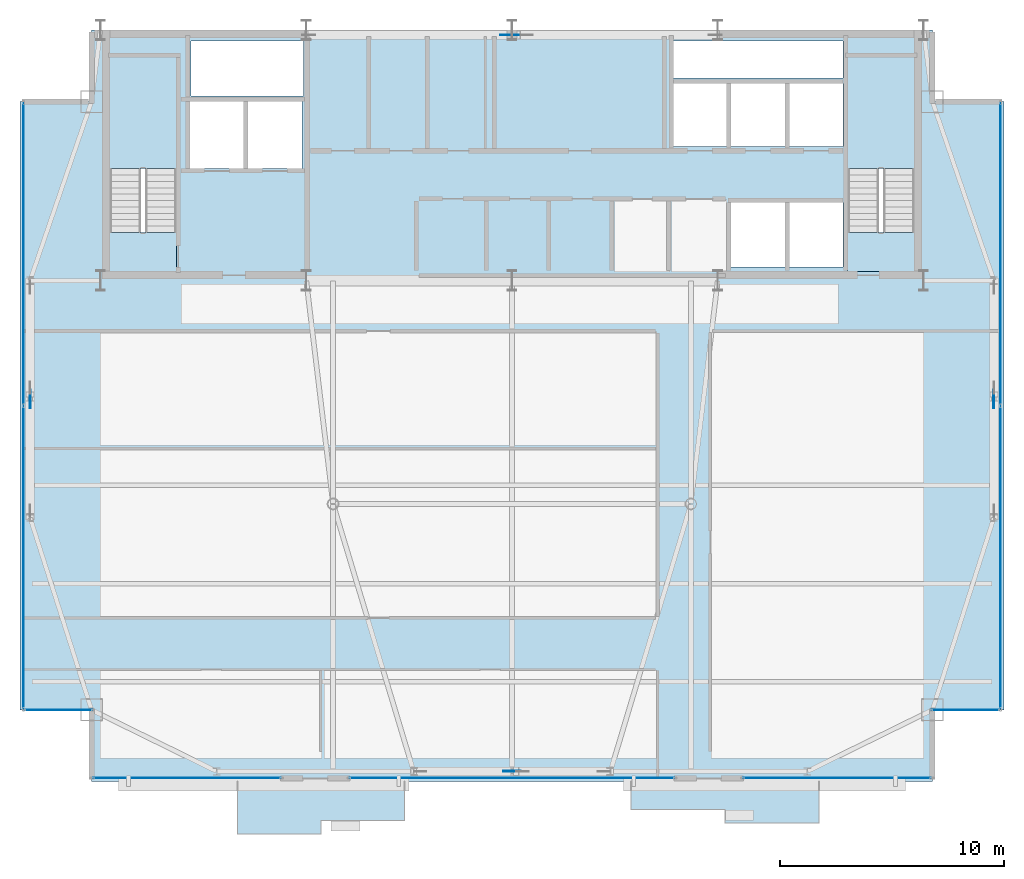
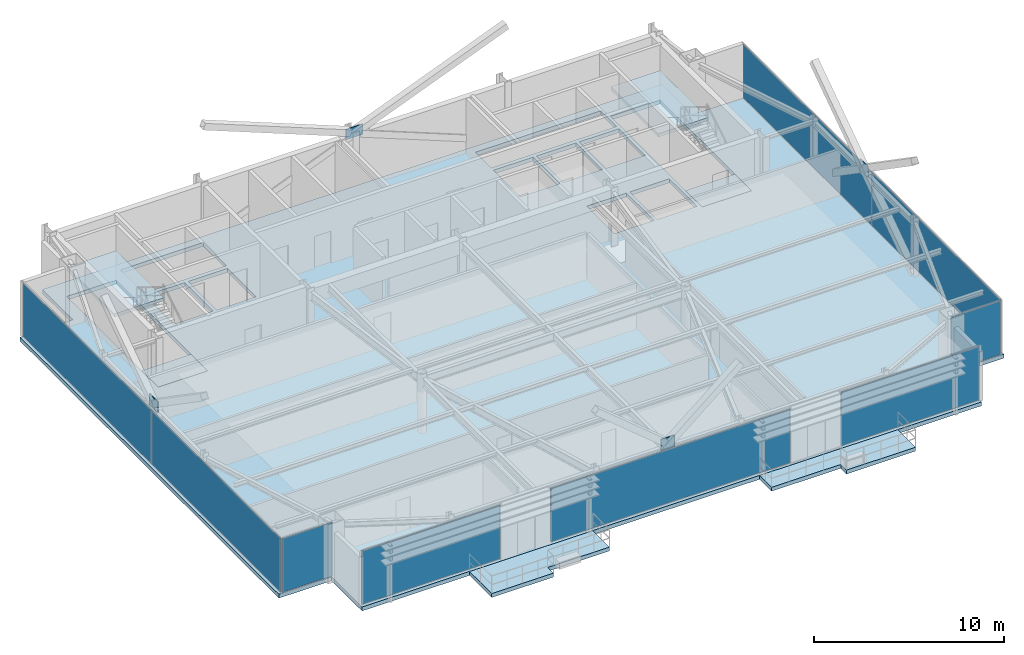
# One storey, part 18 of 25: 13 plates, 7 slabs, 9 elements without a shape of their own.
"""IFC4 building model written with IfcOpenShell, lengths in metres."""

from ifc_helpers import new_model, si_unit, direction, frame, origin, origin_2d, place, context, subcontext, project, spatial, polyline, rectangle, outline, extrude, source, transform, mapped, material, layer, layer_set, type_object, type_shapes, element, aggregate, save


model = new_model("IFC4")

# Units and contexts
model_context = context("Model", 3, precision=1e-05, world=origin(), true_north=direction((0.0, 1.0)))
body_context = subcontext(model_context, "Body", "Model", "MODEL_VIEW")
ifc_project = project(units=[si_unit("LENGTHUNIT", "METRE"), si_unit("AREAUNIT", "SQUARE_METRE"), si_unit("VOLUMEUNIT", "CUBIC_METRE"), si_unit("PLANEANGLEUNIT", "RADIAN"), si_unit("MASSUNIT", "GRAM", prefix="KILO")], contexts=[model_context])

# Site, building, storey
site_placement = place(None, origin())
site = spatial("IfcSite", under=ifc_project, at=site_placement, CompositionType="ELEMENT")
building_placement = place(site_placement, origin())
building = spatial("IfcBuilding", under=site, at=building_placement, Name="Varnel Quay Broadcast Tower", CompositionType="ELEMENT")
storey_placement = place(building_placement, frame((0.0, 0.0, 288.800048828125)))
storey = spatial("IfcBuildingStorey", under=building, at=storey_placement, Name="L72", CompositionType="ELEMENT", Elevation=288.800048828125)

# Slabs
ifc_material_1 = material(Name="Concrete CSA A23.3 C40/50", Category="concrete")
ifc_layer_1 = layer(ifc_material_1, 0.25, Name="Concrete CSA A23.3 C40/50")
ifc_layer_set_1 = layer_set([ifc_layer_1], Name="Concrete CSA A23.3 C40/50")
slab_type_1 = type_object("IfcSlabType", Name="Slab_ExtTerrace250", PredefinedType="FLOOR", material=ifc_layer_set_1)
slab_1_placement = place(storey_placement, frame((0.0, 0.0, -0.25)))
element("IfcSlab", 1, at=slab_1_placement, inside=storey, type_object=slab_type_1, Name="L72 Planted Lobe Terrace Slab 1", PredefinedType="FLOOR", context=body_context, shape_type="SweptSolid", body=[
    extrude(outline(polyline([(21.719970703125, 10.861083984375), (25.4599609375, 10.861083984375), (25.4599609375, 11.4609375), (29.199951171875, 11.4609375), (29.199951171875, 13.199951171875), (21.719970703125, 13.199951171875), (21.719970703125, 10.861083984375)])), origin(), (0.0, 0.0, 1.0), 0.25),
])
slab_2_placement = place(storey_placement, frame((0.0, 0.0, -0.25)))
element("IfcSlab", 2, at=slab_2_placement, inside=storey, type_object=slab_type_1, Name="L72 Planted Lobe Terrace Slab 2", PredefinedType="FLOOR", context=body_context, shape_type="SweptSolid", body=[
    extrude(outline(polyline([(39.320068359375, 11.93896484375), (43.52001953125, 11.93896484375), (43.52001953125, 11.339111328125), (47.719970703125, 11.339111328125), (47.719970703125, 13.199951171875), (39.320068359375, 13.199951171875), (39.320068359375, 11.93896484375)])), origin(), (0.0, 0.0, 1.0), 0.25),
])
ifc_material_2 = material(Name="Concrete CSA A23.3 C50/60", Category="concrete")
ifc_layer_2 = layer(ifc_material_2, 0.25, Name="Concrete CSA A23.3 C50/60")
ifc_layer_set_2 = layer_set([ifc_layer_2], Name="Concrete CSA A23.3 C50/60")
slab_type_2 = type_object("IfcSlabType", Name="Slab_Floor250", PredefinedType="FLOOR", material=ifc_layer_set_2)
slab_3_placement = place(storey_placement, frame((0.0, 0.0, -0.25)))
element("IfcSlab", 3, at=slab_3_placement, inside=storey, type_object=slab_type_2, Name="L72 Structural Slab", PredefinedType="FLOOR", context=body_context, shape_type="SweptSolid", body=[
    extrude(outline(polyline([(15.199951171875, 13.199951171875), (52.800048828125, 13.199951171875), (52.800048828125, 16.39990234375), (56.0, 16.39990234375), (56.0, 43.60009765625), (52.800048828125, 43.60009765625), (52.800048828125, 46.800048828125), (15.199951171875, 46.800048828125), (15.199951171875, 43.60009765625), (12.0, 43.60009765625), (12.0, 16.39990234375), (15.199951171875, 16.39990234375), (15.199951171875, 13.199951171875)]), holes=[polyline([(19.0, 36.0), (16.0, 36.0), (16.0, 45.60009765625), (19.0, 45.60009765625), (19.0, 36.0)]), polyline([(19.60009765625, 40.60009765625), (19.60009765625, 43.60009765625), (22.0, 43.60009765625), (22.0, 40.60009765625), (19.60009765625, 40.60009765625)]), polyline([(22.199951171875, 40.60009765625), (22.199951171875, 43.60009765625), (24.60009765625, 43.60009765625), (24.60009765625, 40.60009765625), (22.199951171875, 40.60009765625)]), polyline([(41.199951171875, 44.39990234375), (43.60009765625, 44.39990234375), (43.60009765625, 41.60009765625), (41.199951171875, 41.60009765625), (41.199951171875, 44.39990234375)]), polyline([(43.800048828125, 44.39990234375), (46.199951171875, 44.39990234375), (46.199951171875, 41.60009765625), (43.800048828125, 41.60009765625), (43.800048828125, 44.39990234375)]), polyline([(19.64990234375, 43.85009765625), (19.64990234375, 46.300048828125), (24.679931640625, 46.300048828125), (24.679931640625, 43.85009765625), (19.64990234375, 43.85009765625)]), polyline([(43.800048828125, 39.10009765625), (46.199951171875, 39.10009765625), (46.199951171875, 36.199951171875), (43.800048828125, 36.199951171875), (43.800048828125, 39.10009765625)]), polyline([(46.39990234375, 39.10009765625), (48.800048828125, 39.10009765625), (48.800048828125, 36.199951171875), (46.39990234375, 36.199951171875), (46.39990234375, 39.10009765625)]), polyline([(52.0, 36.0), (49.0, 36.0), (49.0, 45.60009765625), (52.0, 45.60009765625), (52.0, 36.0)]), polyline([(46.39990234375, 44.39990234375), (48.800048828125, 44.39990234375), (48.800048828125, 41.60009765625), (46.39990234375, 41.60009765625), (46.39990234375, 44.39990234375)]), polyline([(41.199951171875, 46.300048828125), (48.800048828125, 46.300048828125), (48.800048828125, 44.64990234375), (41.199951171875, 44.64990234375), (41.199951171875, 46.300048828125)])]), origin(), (0.0, 0.0, 1.0), 0.25),
])
ifc_layer_3 = layer(ifc_material_2, 0.25, Name="Concrete CSA A23.3 C50/60")
ifc_layer_set_3 = layer_set([ifc_layer_3], Name="Concrete CSA A23.3 C50/60")
slab_type_3 = type_object("IfcSlabType", Name="Slab_StairFloorLanding250", PredefinedType="FLOOR", material=ifc_layer_set_3)
slab_4_placement = place(storey_placement, frame((0.0, 0.0, -0.25)))
element("IfcSlab", 4, at=slab_4_placement, inside=storey, type_object=slab_type_3, Name="L72 ST-01 Structural Floor Landing Slab", PredefinedType="FLOOR", context=body_context, shape_type="SweptSolid", body=[
    extrude(outline(polyline([(19.0, 36.0), (19.0, 37.75), (16.0, 37.75), (16.0, 36.0), (19.0, 36.0)])), origin(), (0.0, 0.0, 1.0), 0.25),
])
slab_5_placement = place(storey_placement, frame((0.0, 0.0, -0.25)))
element("IfcSlab", 5, at=slab_5_placement, inside=storey, type_object=slab_type_3, Name="L72 ST-02 Structural Floor Landing Slab", PredefinedType="FLOOR", context=body_context, shape_type="SweptSolid", body=[
    extrude(outline(polyline([(52.0, 36.0), (52.0, 37.75), (49.0, 37.75), (49.0, 36.0), (52.0, 36.0)])), origin(), (0.0, 0.0, 1.0), 0.25),
])

# Stair, slab
ifc_material_3 = material(Name="Precast Structural Concrete C40/50", Category="concrete")
stair_type_1 = type_object("IfcStairType", Name="Stair_ST-01", PredefinedType="HALF_TURN_STAIR", material=ifc_material_3)
stair_1_placement = place(storey_placement, origin())
stair_1 = element("IfcStair", 6, at=stair_1_placement, inside=storey, type_object=stair_type_1, Name="L72 West Core Exit Stair 1", PredefinedType="HALF_TURN_STAIR")
ifc_layer_4 = layer(ifc_material_3, 0.199951171875, Name="Precast Structural Concrete C40/50")
ifc_layer_set_4 = layer_set([ifc_layer_4], Name="Precast Structural Concrete C40/50")
slab_type_4 = type_object("IfcSlabType", Name="Slab_StairLanding200", PredefinedType="LANDING", material=ifc_layer_set_4)
slab_6_placement = place(storey_placement, frame((0.0, 0.0, 1.699951171875)))
slab_6 = element("IfcSlab", 7, at=slab_6_placement, type_object=slab_type_4, Name="ST-01 landing 1", PredefinedType="LANDING", context=body_context, shape_type="SweptSolid", body=[
    extrude(outline(polyline([(19.0, 40.60009765625), (19.0, 45.60009765625), (16.0, 45.60009765625), (16.0, 40.60009765625), (19.0, 40.60009765625)])), origin(), (0.0, 0.0, 1.0), 0.199951171875),
])
aggregate(stair_1, [slab_6])

stair_type_2 = type_object("IfcStairType", Name="Stair_ST-02", PredefinedType="HALF_TURN_STAIR", material=ifc_material_3)
stair_2_placement = place(storey_placement, origin())
stair_2 = element("IfcStair", 8, at=stair_2_placement, inside=storey, type_object=stair_type_2, Name="L72 East Core Exit Stair 2", PredefinedType="HALF_TURN_STAIR")
slab_7_placement = place(storey_placement, frame((0.0, 0.0, 1.699951171875)))
slab_7 = element("IfcSlab", 9, at=slab_7_placement, type_object=slab_type_4, Name="ST-02 landing 1", PredefinedType="LANDING", context=body_context, shape_type="SweptSolid", body=[
    extrude(outline(polyline([(52.0, 40.60009765625), (52.0, 45.60009765625), (49.0, 45.60009765625), (49.0, 40.60009765625), (52.0, 40.60009765625)])), origin(), (0.0, 0.0, 1.0), 0.199951171875),
])
aggregate(stair_2, [slab_7])

# Plates
ifc_material_4 = material(Name="Structural Steel CSA G40.21 350WT", Category="steel")
ifc_layer_5 = layer(ifc_material_4, 0.0400390625, Name="Structural Steel CSA G40.21 350WT")
ifc_layer_set_5 = layer_set([ifc_layer_5], Name="Structural Steel CSA G40.21 350WT")
plate_type_1 = type_object("IfcPlateType", Name="Plate_MegaGusset", PredefinedType="USERDEFINED", material=ifc_layer_set_5)
shared_shape_1 = source(origin(), body_context, "Body", "SweptSolid", [
    extrude(rectangle(XDim=0.7958984375, YDim=0.0400390625, at=origin_2d()), origin(), (0.0, 0.0, 1.0), 0.736083984375),
])
plate_1_placement = place(storey_placement, frame((34.0, 13.64990234375, 3.30712890625), z_axis=(0.0, 0.0, 1.0), x_axis=(1.0, 0.0, 0.0)))
element("IfcPlate", 10, at=plate_1_placement, inside=storey, type_object=plate_type_1, Name="Zone 5 Mega-Brace S-C1T3 Central X-Crossing Gusset Plate", ObjectType="GUSSET_PLATE", PredefinedType="USERDEFINED", context=body_context, shape_type="MappedRepresentation", body=[
    mapped(shared_shape_1, transform((0.0, 0.0, 0.0), x_axis=(1.0, 0.0, 0.0), y_axis=(0.0, 1.0, 0.0), z_axis=(0.0, 0.0, 1.0), scale=1.0)),
])
shared_shape_2 = source(origin(), body_context, "Body", "SweptSolid", [
    extrude(rectangle(XDim=1.035888671875, YDim=0.0400390625, at=origin_2d()), origin(), (0.0, 0.0, 1.0), 0.677001953125),
])
plate_2_placement = place(storey_placement, frame((34.0, 46.580078125, 3.33642578125), z_axis=(0.0, 0.0, 1.0), x_axis=(1.0, 0.0, 0.0)))
element("IfcPlate", 11, at=plate_2_placement, inside=storey, type_object=plate_type_1, Name="Zone 5 Mega-Brace N-CT3 Central X-Crossing Gusset Plate", ObjectType="GUSSET_PLATE", PredefinedType="USERDEFINED", context=body_context, shape_type="MappedRepresentation", body=[
    mapped(shared_shape_2, transform((0.0, 0.0, 0.0), x_axis=(1.0, 0.0, 0.0), y_axis=(0.0, 1.0, 0.0), z_axis=(0.0, 0.0, 1.0), scale=1.0)),
])
shared_shape_3 = source(origin(), body_context, "Body", "SweptSolid", [
    extrude(rectangle(XDim=0.839111328125, YDim=0.0400390625, at=origin_2d()), origin(), (0.0, 0.0, 1.0), 0.715087890625),
])
type_shapes(plate_type_1, [shared_shape_1, shared_shape_2, shared_shape_3])
for number, where, z_axis, x_axis, name in (
    (12, (12.449951171875, 30.300048828125, 3.3173828125), (0.0, 0.0, 1.0), (0.0, 1.0, 0.0), "Zone 5 Mega-Brace W-FT3 Central X-Crossing Gusset Plate"),
    (13, (55.550048828125, 30.300048828125, 3.3173828125), (0.0, 0.0, 1.0), (0.0, 1.0, 0.0), "Zone 5 Mega-Brace E-FT3 Central X-Crossing Gusset Plate"),
):
    element("IfcPlate", number, at=place(storey_placement, frame(where, z_axis=z_axis, x_axis=x_axis)), inside=storey, type_object=plate_type_1, Name=name, ObjectType="GUSSET_PLATE", PredefinedType="USERDEFINED", context=body_context, shape_type="MappedRepresentation", body=[
        mapped(shared_shape_3, transform((0.0, 0.0, 0.0), x_axis=(1.0, 0.0, 0.0), y_axis=(0.0, 1.0, 0.0), z_axis=(0.0, 0.0, 1.0), scale=1.0)),
    ])

# Curtain wall, plate
ifc_material_5 = material(Name="Anodised Bronze Aluminium 6063-T6", Category="aluminium")
ifc_layer_6 = layer(ifc_material_5, 0.18994140625, Name="Anodised Bronze Aluminium 6063-T6")
ifc_layer_set_6 = layer_set([ifc_layer_6], Name="Anodised Bronze Aluminium 6063-T6")
curtain_wall_type_1 = type_object("IfcCurtainWallType", Name="CW_UpperTower", PredefinedType="NOTDEFINED", material=ifc_layer_set_6)
curtain_wall_1_placement = place(storey_placement, origin())
curtain_wall_1 = element("IfcCurtainWall", 14, at=curtain_wall_1_placement, inside=storey, type_object=curtain_wall_type_1, Name="L72 South Unitised Curtain Wall 1", PredefinedType="NOTDEFINED")
ifc_material_6 = material(Name="Triple-Glazed Bronze Low-E Architectural Glass", Category="glass")
ifc_layer_7 = layer(ifc_material_6, 0.030029296875, Name="Triple-Glazed Bronze Low-E Architectural Glass")
ifc_layer_set_7 = layer_set([ifc_layer_7], Name="Triple-Glazed Bronze Low-E Architectural Glass")
plate_type_2 = type_object("IfcPlateType", Name="Panel_CWS-03", PredefinedType="CURTAIN_PANEL", material=ifc_layer_set_7)
shared_shape_4 = source(origin(), body_context, "Body", "SweptSolid", [
    extrude(rectangle(XDim=8.389892578125, YDim=0.030029296875, at=origin_2d()), origin(), (0.0, 0.0, 1.0), 3.429931640625),
])
type_shapes(plate_type_2, [shared_shape_4])
plate_3_placement = place(storey_placement, frame((19.4599609375, 13.35009765625, 0.06005859375), z_axis=(0.0, 0.0, 1.0), x_axis=(1.0, 0.0, 0.0)))
plate_3 = element("IfcPlate", 15, at=plate_3_placement, type_object=plate_type_2, Name="CWS-03 panel 1.1", PredefinedType="CURTAIN_PANEL", context=body_context, shape_type="MappedRepresentation", body=[
    mapped(shared_shape_4, transform((0.0, 0.0, 0.0), x_axis=(1.0, 0.0, 0.0), y_axis=(0.0, 1.0, 0.0), z_axis=(0.0, 0.0, 1.0), scale=1.0)),
])
aggregate(curtain_wall_1, [plate_3])

curtain_wall_2_placement = place(storey_placement, origin())
curtain_wall_2 = element("IfcCurtainWall", 16, at=curtain_wall_2_placement, inside=storey, type_object=curtain_wall_type_1, Name="L72 South Unitised Curtain Wall 3", PredefinedType="NOTDEFINED")
plate_4_placement = place(storey_placement, frame((48.5400390625, 13.35009765625, 0.06005859375), z_axis=(0.0, 0.0, 1.0), x_axis=(1.0, 0.0, 0.0)))
plate_4 = element("IfcPlate", 17, at=plate_4_placement, type_object=plate_type_2, Name="CWS-03 panel 1.1", PredefinedType="CURTAIN_PANEL", context=body_context, shape_type="MappedRepresentation", body=[
    mapped(shared_shape_4, transform((0.0, 0.0, 0.0), x_axis=(1.0, 0.0, 0.0), y_axis=(0.0, 1.0, 0.0), z_axis=(0.0, 0.0, 1.0), scale=1.0)),
])
aggregate(curtain_wall_2, [plate_4])

# Curtain wall, plates
curtain_wall_3_placement = place(storey_placement, origin())
curtain_wall_3 = element("IfcCurtainWall", 18, at=curtain_wall_3_placement, inside=storey, type_object=curtain_wall_type_1, Name="L72 West Unitised Curtain Wall", PredefinedType="NOTDEFINED")
ifc_material_7 = material(Name="Insulated Bronze Spandrel Glass", Category="glass")
ifc_layer_8 = layer(ifc_material_7, 0.030029296875, Name="Insulated Bronze Spandrel Glass")
ifc_layer_set_8 = layer_set([ifc_layer_8], Name="Insulated Bronze Spandrel Glass")
plate_type_3 = type_object("IfcPlateType", Name="PanelSp_CWS-03", PredefinedType="CURTAIN_PANEL", material=ifc_layer_set_8)
shared_shape_5 = source(origin(), body_context, "Body", "SweptSolid", [
    extrude(rectangle(XDim=13.50244140625, YDim=0.030029296875, at=origin_2d()), origin(), (0.0, 0.0, 1.0), 3.429931640625),
])
plate_5_placement = place(storey_placement, frame((12.14990234375, 23.21630859375, 0.06005859375), z_axis=(0.0, 0.0, 1.0), x_axis=(0.0, 1.0, 0.0)))
plate_5 = element("IfcPlate", 19, at=plate_5_placement, type_object=plate_type_3, Name="CWS-03 panel 1.1", PredefinedType="CURTAIN_PANEL", context=body_context, shape_type="MappedRepresentation", body=[
    mapped(shared_shape_5, transform((0.0, 0.0, 0.0), x_axis=(1.0, 0.0, 0.0), y_axis=(0.0, 1.0, 0.0), z_axis=(0.0, 0.0, 1.0), scale=1.0)),
])
plate_6_placement = place(storey_placement, frame((12.14990234375, 36.78369140625, 0.06005859375), z_axis=(0.0, 0.0, 1.0), x_axis=(0.0, 1.0, 0.0)))
plate_6 = element("IfcPlate", 20, at=plate_6_placement, type_object=plate_type_3, Name="CWS-03 panel 2.1", PredefinedType="CURTAIN_PANEL", context=body_context, shape_type="MappedRepresentation", body=[
    mapped(shared_shape_5, transform((0.0, 0.0, 0.0), x_axis=(1.0, 0.0, 0.0), y_axis=(0.0, 1.0, 0.0), z_axis=(0.0, 0.0, 1.0), scale=1.0)),
])
aggregate(curtain_wall_3, [plate_5, plate_6])

curtain_wall_4_placement = place(storey_placement, origin())
curtain_wall_4 = element("IfcCurtainWall", 21, at=curtain_wall_4_placement, inside=storey, type_object=curtain_wall_type_1, Name="L72 East Unitised Curtain Wall", PredefinedType="NOTDEFINED")
plate_7_placement = place(storey_placement, frame((55.85009765625, 23.21630859375, 0.06005859375), z_axis=(0.0, 0.0, 1.0), x_axis=(0.0, 1.0, 0.0)))
plate_7 = element("IfcPlate", 22, at=plate_7_placement, type_object=plate_type_3, Name="CWS-03 panel 1.1", PredefinedType="CURTAIN_PANEL", context=body_context, shape_type="MappedRepresentation", body=[
    mapped(shared_shape_5, transform((0.0, 0.0, 0.0), x_axis=(1.0, 0.0, 0.0), y_axis=(0.0, 1.0, 0.0), z_axis=(0.0, 0.0, 1.0), scale=1.0)),
])
plate_8_placement = place(storey_placement, frame((55.85009765625, 36.78369140625, 0.06005859375), z_axis=(0.0, 0.0, 1.0), x_axis=(0.0, 1.0, 0.0)))
plate_8 = element("IfcPlate", 23, at=plate_8_placement, type_object=plate_type_3, Name="CWS-03 panel 2.1", PredefinedType="CURTAIN_PANEL", context=body_context, shape_type="MappedRepresentation", body=[
    mapped(shared_shape_5, transform((0.0, 0.0, 0.0), x_axis=(1.0, 0.0, 0.0), y_axis=(0.0, 1.0, 0.0), z_axis=(0.0, 0.0, 1.0), scale=1.0)),
])
aggregate(curtain_wall_4, [plate_7, plate_8])

# Curtain wall, plate
ifc_layer_9 = layer(ifc_material_5, 0.18994140625, Name="Anodised Bronze Aluminium 6063-T6")
ifc_layer_set_9 = layer_set([ifc_layer_9], Name="Anodised Bronze Aluminium 6063-T6")
curtain_wall_type_2 = type_object("IfcCurtainWallType", Name="CW_NotchCorner", PredefinedType="NOTDEFINED", material=ifc_layer_set_9)
curtain_wall_5_placement = place(storey_placement, origin())
curtain_wall_5 = element("IfcCurtainWall", 24, at=curtain_wall_5_placement, inside=storey, type_object=curtain_wall_type_2, Name="L72 SW Notch Curtain Wall", PredefinedType="NOTDEFINED")
ifc_layer_10 = layer(ifc_material_6, 0.028076171875, Name="Triple-Glazed Bronze Low-E Architectural Glass")
ifc_layer_set_10 = layer_set([ifc_layer_10], Name="Triple-Glazed Bronze Low-E Architectural Glass")
plate_type_4 = type_object("IfcPlateType", Name="Panel_CWS-04", PredefinedType="CURTAIN_PANEL", material=ifc_layer_set_10)
shared_shape_6 = source(origin(), body_context, "Body", "SweptSolid", [
    extrude(rectangle(XDim=3.010009765625, YDim=0.028076171875, at=origin_2d()), origin(), (0.0, 0.0, 1.0), 3.43994140625),
])
type_shapes(plate_type_4, [shared_shape_6])
plate_9_placement = place(storey_placement, frame((13.715087890625, 16.39990234375, 0.054931640625), z_axis=(0.0, 0.0, 1.0), x_axis=(1.0, 0.0, 0.0)))
plate_9 = element("IfcPlate", 25, at=plate_9_placement, type_object=plate_type_4, Name="CWS-04 panel 1.1", PredefinedType="CURTAIN_PANEL", context=body_context, shape_type="MappedRepresentation", body=[
    mapped(shared_shape_6, transform((0.0, 0.0, 0.0), x_axis=(1.0, 0.0, 0.0), y_axis=(0.0, 1.0, 0.0), z_axis=(0.0, 0.0, 1.0), scale=1.0)),
])
aggregate(curtain_wall_5, [plate_9])

curtain_wall_6_placement = place(storey_placement, origin())
curtain_wall_6 = element("IfcCurtainWall", 26, at=curtain_wall_6_placement, inside=storey, type_object=curtain_wall_type_2, Name="L72 SE Notch Curtain Wall", PredefinedType="NOTDEFINED")
plate_10_placement = place(storey_placement, frame((54.284912109375, 16.39990234375, 0.054931640625), z_axis=(0.0, 0.0, 1.0), x_axis=(1.0, 0.0, 0.0)))
plate_10 = element("IfcPlate", 27, at=plate_10_placement, type_object=plate_type_4, Name="CWS-04 panel 1.1", PredefinedType="CURTAIN_PANEL", context=body_context, shape_type="MappedRepresentation", body=[
    mapped(shared_shape_6, transform((0.0, 0.0, 0.0), x_axis=(1.0, 0.0, 0.0), y_axis=(0.0, 1.0, 0.0), z_axis=(0.0, 0.0, 1.0), scale=1.0)),
])
aggregate(curtain_wall_6, [plate_10])

curtain_wall_7_placement = place(storey_placement, origin())
curtain_wall_7 = element("IfcCurtainWall", 28, at=curtain_wall_7_placement, inside=storey, type_object=curtain_wall_type_1, Name="L72 South Unitised Curtain Wall 2", PredefinedType="NOTDEFINED")
shared_shape_7 = source(origin(), body_context, "Body", "SweptSolid", [
    extrude(rectangle(XDim=14.510009765625, YDim=0.030029296875, at=origin_2d()), origin(), (0.0, 0.0, 1.0), 3.429931640625),
])
type_shapes(plate_type_3, [shared_shape_5, shared_shape_7])
plate_11_placement = place(storey_placement, frame((34.0, 13.35009765625, 0.06005859375), z_axis=(0.0, 0.0, 1.0), x_axis=(1.0, 0.0, 0.0)))
plate_11 = element("IfcPlate", 29, at=plate_11_placement, type_object=plate_type_3, Name="CWS-03 panel 1.1", PredefinedType="CURTAIN_PANEL", context=body_context, shape_type="MappedRepresentation", body=[
    mapped(shared_shape_7, transform((0.0, 0.0, 0.0), x_axis=(1.0, 0.0, 0.0), y_axis=(0.0, 1.0, 0.0), z_axis=(0.0, 0.0, 1.0), scale=1.0)),
])
aggregate(curtain_wall_7, [plate_11])

save(model, "model.ifc")
